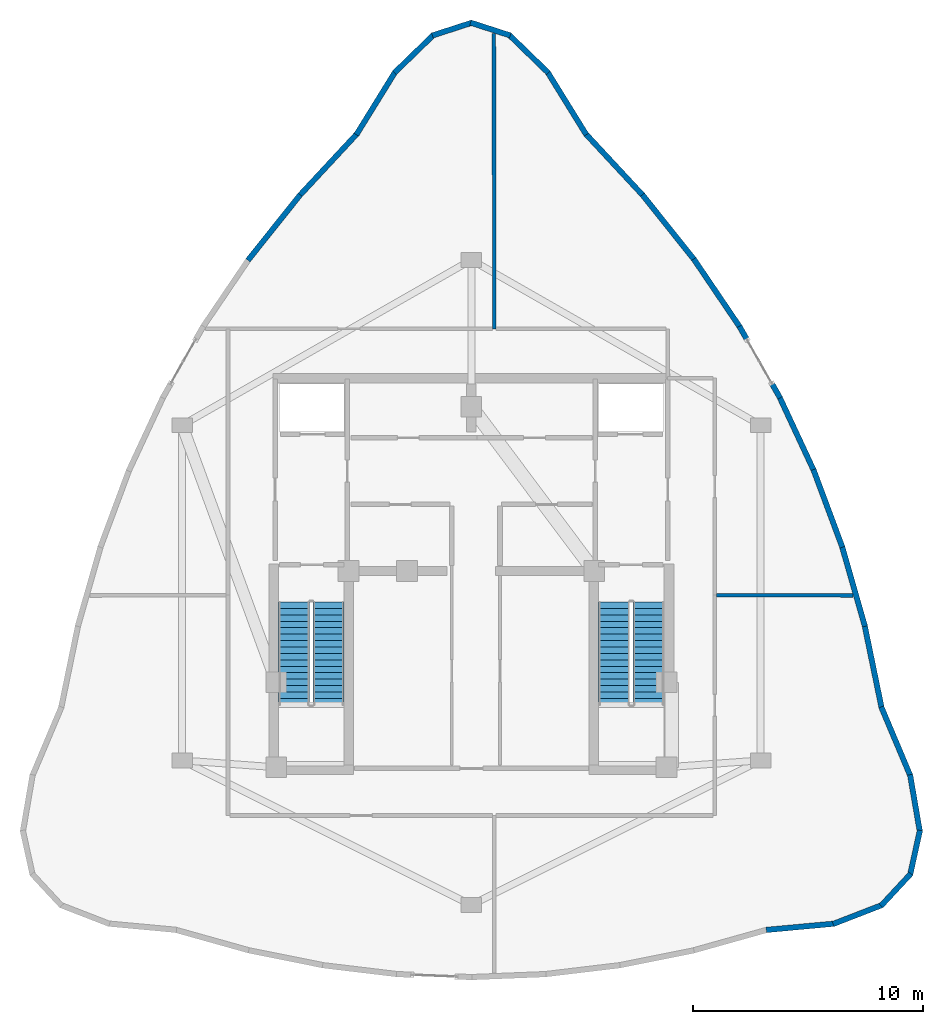
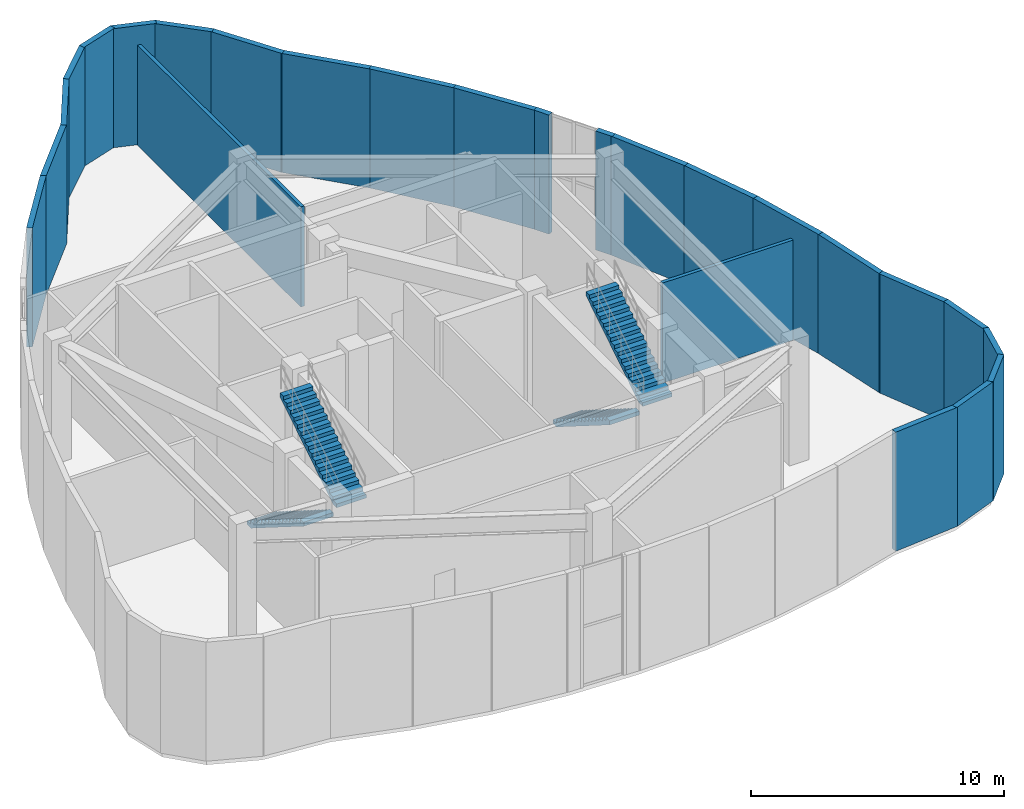
# One storey, part 9 of 10: 25 walls, 4 stair flights, 2 elements without a shape of their own.
"""IFC4 building model written with IfcOpenShell, lengths in metres."""

from ifc_helpers import new_model, si_unit, direction, frame, frame_2d, origin, place, context, subcontext, project, spatial, polyline, rectangle, outline, extrude, material, layer, layer_set, type_object, element, aggregate, save


model = new_model("IFC4")

# Units and contexts
model_context = context("Model", 3, precision=1e-05, world=origin(), true_north=direction((0.0, 1.0)))
body_context = subcontext(model_context, "Body", "Model", "MODEL_VIEW")
ifc_project = project(units=[si_unit("LENGTHUNIT", "METRE"), si_unit("AREAUNIT", "SQUARE_METRE"), si_unit("VOLUMEUNIT", "CUBIC_METRE"), si_unit("PLANEANGLEUNIT", "RADIAN"), si_unit("MASSUNIT", "GRAM", prefix="KILO")], contexts=[model_context])

# Site, building, storey
site_placement = place(None, origin())
site = spatial("IfcSite", under=ifc_project, at=site_placement, CompositionType="ELEMENT")
building_placement = place(site_placement, origin())
building = spatial("IfcBuilding", under=site, at=building_placement, Name="Miruveldt Soraemaru", CompositionType="ELEMENT")
storey_placement = place(building_placement, frame((0.0, 0.0, 306.800048828125)))
storey = spatial("IfcBuildingStorey", under=building, at=storey_placement, Name="L81", CompositionType="ELEMENT", Elevation=306.800048828125)

# Walls
ifc_material_1 = material(Name="Precast concrete C45/55 (45 MPa)", Category="concrete")
ifc_layer_1 = layer(ifc_material_1, 0.239990234375, Name="Precast concrete C45/55 (45 MPa)", Category="concrete")
ifc_layer_set_1 = layer_set([ifc_layer_1], Name="Precast concrete C45/55 (45 MPa)")
wall_type_1 = type_object("IfcWallType", Name="WALL-EXT-PC240", PredefinedType="SOLIDWALL", material=ifc_layer_set_1)
wall_1_placement = place(storey_placement, frame((49.009521484375, 63.05615234375, 0.0), z_axis=(0.0, 0.0, 1.0), x_axis=(-0.526110187608, 0.850416410058, 0.0)))
element("IfcWall", 1, at=wall_1_placement, inside=storey, type_object=wall_type_1, Name="L81 Precast Concrete Facade Wall 1", PredefinedType="SOLIDWALL", context=body_context, shape_type="SweptSolid", body=[
    extrude(rectangle(XDim=3.232666015625, YDim=0.239990234375, at=frame_2d((1.6162109375, 0.0))), origin(), (0.0, 0.0, 1.0), 5.739990234375),
])
wall_2_placement = place(storey_placement, frame((47.352294921875, 65.7509765625, 0.0), z_axis=(0.0, 0.0, 1.0), x_axis=(-0.717711443968, 0.69634063733, 0.0)))
element("IfcWall", 2, at=wall_2_placement, inside=storey, type_object=wall_type_1, Name="L81 Precast Concrete Facade Wall 2", PredefinedType="SOLIDWALL", context=body_context, shape_type="SweptSolid", body=[
    extrude(rectangle(XDim=2.3876953125, YDim=0.239990234375, at=frame_2d((1.19384765625, 0.0))), origin(), (0.0, 0.0, 1.0), 5.739990234375),
])
for number, where, z_axis, x_axis, name in (
    (3, (45.697021484375, 67.37841796875, 0.0), (0.0, 0.0, 1.0), (-0.951517353151, 0.307595069292, 0.0), "L81 Precast Concrete Facade Wall 3"),
    (4, (44.033203125, 67.937744140625, 0.0), (0.0, 0.0, 1.0), (-0.951517353151, -0.307595069292, 0.0), "L81 Precast Concrete Facade Wall 4"),
):
    element("IfcWall", number, at=place(storey_placement, frame(where, z_axis=z_axis, x_axis=x_axis)), inside=storey, type_object=wall_type_1, Name=name, PredefinedType="SOLIDWALL", context=body_context, shape_type="SweptSolid", body=[
        extrude(rectangle(XDim=1.818359375, YDim=0.239990234375, at=frame_2d((0.9091796875, 0.0))), origin(), (0.0, 0.0, 1.0), 5.739990234375),
    ])
wall_3_placement = place(storey_placement, frame((42.361328125, 67.41357421875, 0.0), z_axis=(0.0, 0.0, 1.0), x_axis=(-0.717711443968, -0.69634063733, 0.0)))
element("IfcWall", 5, at=wall_3_placement, inside=storey, type_object=wall_type_1, Name="L81 Precast Concrete Facade Wall 5", PredefinedType="SOLIDWALL", context=body_context, shape_type="SweptSolid", body=[
    extrude(rectangle(XDim=2.3876953125, YDim=0.239990234375, at=frame_2d((1.19384765625, 0.0))), origin(), (0.0, 0.0, 1.0), 5.739990234375),
])
wall_4_placement = place(storey_placement, frame((40.691162109375, 65.80517578125, 0.0), z_axis=(0.0, 0.0, 1.0), x_axis=(-0.526110187608, -0.850416410058, 0.0)))
element("IfcWall", 6, at=wall_4_placement, inside=storey, type_object=wall_type_1, Name="L81 Precast Concrete Facade Wall 6", PredefinedType="SOLIDWALL", context=body_context, shape_type="SweptSolid", body=[
    extrude(rectangle(XDim=3.232666015625, YDim=0.239990234375, at=frame_2d((1.6162109375, 0.0))), origin(), (0.0, 0.0, 1.0), 5.739990234375),
])
wall_5_placement = place(storey_placement, frame((39.03271484375, 63.111572265625, 0.0), z_axis=(0.0, 0.0, 1.0), x_axis=(-0.68087147599, -0.732402917241, 0.0)))
element("IfcWall", 7, at=wall_5_placement, inside=storey, type_object=wall_type_1, Name="L81 Precast Concrete Facade Wall 7", PredefinedType="SOLIDWALL", context=body_context, shape_type="SweptSolid", body=[
    extrude(rectangle(XDim=3.718994140625, YDim=0.239990234375, at=frame_2d((1.859375, 0.0))), origin(), (0.0, 0.0, 1.0), 5.739990234375),
])
wall_6_placement = place(storey_placement, frame((36.546142578125, 60.440673828125, 0.0), z_axis=(0.0, 0.0, 1.0), x_axis=(-0.623626980574, -0.781722066402, 0.0)))
element("IfcWall", 8, at=wall_6_placement, inside=storey, type_object=wall_type_1, Name="L81 Precast Concrete Facade Wall 8", PredefinedType="SOLIDWALL", context=body_context, shape_type="SweptSolid", body=[
    extrude(rectangle(XDim=3.65380859375, YDim=0.239990234375, at=frame_2d((1.826904296875, 0.0))), origin(), (0.0, 0.0, 1.0), 5.739990234375),
])
wall_7_placement = place(storey_placement, frame((56.84619140625, 28.412841796875, 0.0), z_axis=(0.0, 0.0, 1.0), x_axis=(0.995767942029, 0.091903240575, 0.0)))
element("IfcWall", 9, at=wall_7_placement, inside=storey, type_object=wall_type_1, Name="L81 Precast Concrete Facade Wall 29", PredefinedType="SOLIDWALL", context=body_context, shape_type="SweptSolid", body=[
    extrude(rectangle(XDim=2.993896484375, YDim=0.239990234375, at=frame_2d((1.4970703125, 0.0))), origin(), (0.0, 0.0, 1.0), 5.739990234375),
])
wall_8_placement = place(storey_placement, frame((59.760009765625, 28.672119140625, 0.0), z_axis=(0.0, 0.0, 1.0), x_axis=(0.932269297358, 0.361765058019, 0.0)))
element("IfcWall", 10, at=wall_8_placement, inside=storey, type_object=wall_type_1, Name="L81 Precast Concrete Facade Wall 30", PredefinedType="SOLIDWALL", context=body_context, shape_type="SweptSolid", body=[
    extrude(rectangle(XDim=2.300537109375, YDim=0.239990234375, at=frame_2d((1.150390625, 0.0))), origin(), (0.0, 0.0, 1.0), 5.739990234375),
])
wall_9_placement = place(storey_placement, frame((61.848388671875, 29.466064453125, 0.0), z_axis=(0.0, 0.0, 1.0), x_axis=(0.680072395428, 0.733144963139, 0.0)))
element("IfcWall", 11, at=wall_9_placement, inside=storey, type_object=wall_type_1, Name="L81 Precast Concrete Facade Wall 31", PredefinedType="SOLIDWALL", context=body_context, shape_type="SweptSolid", body=[
    extrude(rectangle(XDim=1.904541015625, YDim=0.239990234375, at=frame_2d((0.9521484375, 0.0))), origin(), (0.0, 0.0, 1.0), 5.739990234375),
])
wall_10_placement = place(storey_placement, frame((63.1123046875, 30.80224609375, 0.0), z_axis=(0.0, 0.0, 1.0), x_axis=(0.215649526387, 0.976470829963, 0.0)))
element("IfcWall", 12, at=wall_10_placement, inside=storey, type_object=wall_type_1, Name="L81 Precast Concrete Facade Wall 32", PredefinedType="SOLIDWALL", context=body_context, shape_type="SweptSolid", body=[
    extrude(rectangle(XDim=1.998291015625, YDim=0.239990234375, at=frame_2d((0.9990234375, 0.0))), origin(), (0.0, 0.0, 1.0), 5.739990234375),
])
wall_11_placement = place(storey_placement, frame((63.54150390625, 32.6845703125, 0.0), z_axis=(0.0, 0.0, 1.0), x_axis=(-0.169240125324, 0.985574847477, 0.0)))
element("IfcWall", 13, at=wall_11_placement, inside=storey, type_object=wall_type_1, Name="L81 Precast Concrete Facade Wall 33", PredefinedType="SOLIDWALL", context=body_context, shape_type="SweptSolid", body=[
    extrude(rectangle(XDim=2.52587890625, YDim=0.239990234375, at=frame_2d((1.262939453125, 0.0))), origin(), (0.0, 0.0, 1.0), 5.739990234375),
])
wall_12_placement = place(storey_placement, frame((63.13330078125, 35.107421875, 0.0), z_axis=(0.0, 0.0, 1.0), x_axis=(-0.388622520849, 0.921397056805, 0.0)))
element("IfcWall", 14, at=wall_12_placement, inside=storey, type_object=wall_type_1, Name="L81 Precast Concrete Facade Wall 34", PredefinedType="SOLIDWALL", context=body_context, shape_type="SweptSolid", body=[
    extrude(rectangle(XDim=3.280517578125, YDim=0.239990234375, at=frame_2d((1.64013671875, 0.0))), origin(), (0.0, 0.0, 1.0), 5.739990234375),
])
wall_13_placement = place(storey_placement, frame((61.879150390625, 38.063720703125, 0.0), z_axis=(0.0, 0.0, 1.0), x_axis=(-0.201578837363, 0.979472292782, 0.0)))
element("IfcWall", 15, at=wall_13_placement, inside=storey, type_object=wall_type_1, Name="L81 Precast Concrete Facade Wall 35", PredefinedType="SOLIDWALL", context=body_context, shape_type="SweptSolid", body=[
    extrude(rectangle(XDim=3.719482421875, YDim=0.239990234375, at=frame_2d((1.85986328125, 0.0))), origin(), (0.0, 0.0, 1.0), 5.739990234375),
])
wall_14_placement = place(storey_placement, frame((61.14599609375, 41.638671875, 0.0), z_axis=(0.0, 0.0, 1.0), x_axis=(-0.274897629025, 0.961473501224, 0.0)))
element("IfcWall", 16, at=wall_14_placement, inside=storey, type_object=wall_type_1, Name="L81 Precast Concrete Facade Wall 36", PredefinedType="SOLIDWALL", context=body_context, shape_type="SweptSolid", body=[
    extrude(rectangle(XDim=3.65380859375, YDim=0.239990234375, at=frame_2d((1.826904296875, 0.0))), origin(), (0.0, 0.0, 1.0), 5.739990234375),
])
wall_15_placement = place(storey_placement, frame((60.163330078125, 45.085205078125, 0.0), z_axis=(0.0, 0.0, 1.0), x_axis=(-0.349054279873, 0.937102507574, 0.0)))
element("IfcWall", 17, at=wall_15_placement, inside=storey, type_object=wall_type_1, Name="L81 Precast Concrete Facade Wall 37", PredefinedType="SOLIDWALL", context=body_context, shape_type="SweptSolid", body=[
    extrude(rectangle(XDim=3.609130859375, YDim=0.239990234375, at=frame_2d((1.8046875, 0.0))), origin(), (0.0, 0.0, 1.0), 5.739990234375),
])
wall_16_placement = place(storey_placement, frame((58.9306640625, 48.40283203125, 0.0), z_axis=(0.0, 0.0, 1.0), x_axis=(-0.422322757118, 0.906445524464, 0.0)))
element("IfcWall", 18, at=wall_16_placement, inside=storey, type_object=wall_type_1, Name="L81 Precast Concrete Facade Wall 38", PredefinedType="SOLIDWALL", context=body_context, shape_type="SweptSolid", body=[
    extrude(rectangle(XDim=3.587158203125, YDim=0.239990234375, at=frame_2d((1.79345703125, 0.0))), origin(), (0.0, 0.0, 1.0), 5.739990234375),
])
wall_17_placement = place(storey_placement, frame((57.447998046875, 51.592041015625, 0.0), z_axis=(0.0, 0.0, 1.0), x_axis=(-0.493406174407, 0.86979902682, 0.0)))
element("IfcWall", 19, at=wall_17_placement, inside=storey, type_object=wall_type_1, Name="L81 Precast Pier Left 39", PredefinedType="SOLIDWALL", context=body_context, shape_type="SweptSolid", body=[
    extrude(rectangle(XDim=0.751220703125, YDim=0.239990234375, at=frame_2d((0.37548828125, 0.0))), origin(), (0.0, 0.0, 1.0), 5.739990234375),
])
wall_18_placement = place(storey_placement, frame((56.02587890625, 54.098876953125, 0.0), z_axis=(0.0, 0.0, 1.0), x_axis=(-0.493300984784, 0.86985868876, 0.0)))
element("IfcWall", 20, at=wall_18_placement, inside=storey, type_object=wall_type_1, Name="L81 Precast Pier Right 39", PredefinedType="SOLIDWALL", context=body_context, shape_type="SweptSolid", body=[
    extrude(rectangle(XDim=0.704833984375, YDim=0.239990234375, at=frame_2d((0.3525390625, 0.0))), origin(), (0.0, 0.0, 1.0), 5.739990234375),
])
wall_19_placement = place(storey_placement, frame((55.715087890625, 54.652587890625, 0.0), z_axis=(0.0, 0.0, 1.0), x_axis=(-0.560819727484, 0.827937940467, 0.0)))
element("IfcWall", 21, at=wall_19_placement, inside=storey, type_object=wall_type_1, Name="L81 Precast Concrete Facade Wall 40", PredefinedType="SOLIDWALL", context=body_context, shape_type="SweptSolid", body=[
    extrude(rectangle(XDim=3.609375, YDim=0.239990234375, at=frame_2d((1.8046875, 0.0))), origin(), (0.0, 0.0, 1.0), 5.739990234375),
])
wall_20_placement = place(storey_placement, frame((53.732421875, 57.58447265625, 0.0), z_axis=(0.0, 0.0, 1.0), x_axis=(-0.623626980574, 0.781722066402, 0.0)))
element("IfcWall", 22, at=wall_20_placement, inside=storey, type_object=wall_type_1, Name="L81 Precast Concrete Facade Wall 41", PredefinedType="SOLIDWALL", context=body_context, shape_type="SweptSolid", body=[
    extrude(rectangle(XDim=3.65380859375, YDim=0.239990234375, at=frame_2d((1.826904296875, 0.0))), origin(), (0.0, 0.0, 1.0), 5.739990234375),
])
wall_21_placement = place(storey_placement, frame((51.49951171875, 60.3876953125, 0.0), z_axis=(0.0, 0.0, 1.0), x_axis=(-0.68087147599, 0.732402917241, 0.0)))
element("IfcWall", 23, at=wall_21_placement, inside=storey, type_object=wall_type_1, Name="L81 Precast Concrete Facade Wall 42", PredefinedType="SOLIDWALL", context=body_context, shape_type="SweptSolid", body=[
    extrude(rectangle(XDim=3.718994140625, YDim=0.239990234375, at=frame_2d((1.859375, 0.0))), origin(), (0.0, 0.0, 1.0), 5.739990234375),
])
ifc_material_2 = material(Name="Concrete C40/50 (40 MPa)", Category="concrete")
ifc_layer_2 = layer(ifc_material_2, 0.159912109375, Name="Concrete C40/50 (40 MPa)", Category="concrete")
ifc_layer_set_2 = layer_set([ifc_layer_2], Name="Concrete C40/50 (40 MPa)")
wall_type_2 = type_object("IfcWallType", Name="WALL-INT-RC160", PredefinedType="SOLIDWALL", material=ifc_layer_set_2)
wall_22_placement = place(storey_placement, frame((45.0, 54.60009765625, 0.0), z_axis=(0.0, 0.0, 1.0), x_axis=(-0.001328196464, 0.999999117947, 0.0)))
element("IfcWall", 24, at=wall_22_placement, inside=storey, type_object=wall_type_2, Name="L81 Partition Wall 14", PredefinedType="SOLIDWALL", context=body_context, shape_type="SweptSolid", body=[
    extrude(rectangle(XDim=12.866943359375, YDim=0.159912109375, at=frame_2d((6.43359375, 0.0))), origin(), (0.0, 0.0, 1.0), 4.827880859375),
])
wall_23_placement = place(storey_placement, frame((60.62109375, 42.985107421875, 0.0), z_axis=(0.0, 0.0, 1.0), x_axis=(-0.999996858298, 0.00250666975, 0.0)))
element("IfcWall", 25, at=wall_23_placement, inside=storey, type_object=wall_type_2, Name="L81 Partition Wall 13", PredefinedType="SOLIDWALL", context=body_context, shape_type="SweptSolid", body=[
    extrude(rectangle(XDim=5.941162109375, YDim=0.159912109375, at=frame_2d((2.970703125, 0.0))), origin(), (0.0, 0.0, 1.0), 4.827880859375),
])

# Stair, stair flights
stair_type = type_object("IfcStairType", Name="STAIR-DL-600", PredefinedType="HALF_TURN_STAIR", material=ifc_material_2)
stair_1_placement = place(storey_placement, origin())
stair_1 = element("IfcStair", 26, at=stair_1_placement, inside=storey, type_object=stair_type, Name="L81 Protected Exit Stair ST-1", PredefinedType="HALF_TURN_STAIR")
stair_flight_type = type_object("IfcStairFlightType", Name="SFL-DL-600", PredefinedType="STRAIGHT", material=ifc_material_2)
stair_flight_1_placement = place(storey_placement, frame((36.27490234375, 42.699951171875, 0.0), z_axis=(0.0, 0.0, 1.0), x_axis=(0.0, -1.0, 0.0)))
stair_flight_1 = element("IfcStairFlight", 27, at=stair_flight_1_placement, type_object=stair_flight_type, Name="ST-1 flight 1", NumberOfRisers=17, NumberOfTreads=16, PredefinedType="STRAIGHT", RiserHeight=0.176470588, TreadLength=0.28, context=body_context, shape_type="SweptSolid", body=[
    extrude(outline(polyline([(0.0, 0.0), (0.0, 0.176513671875), (0.280029296875, 0.176513671875), (0.280029296875, 0.35302734375), (0.56005859375, 0.35302734375), (0.56005859375, 0.529296875), (0.840087890625, 0.529296875), (0.840087890625, 0.705810546875), (1.1201171875, 0.705810546875), (1.1201171875, 0.88232421875), (1.39990234375, 0.88232421875), (1.39990234375, 1.058837890625), (1.679931640625, 1.058837890625), (1.679931640625, 1.2353515625), (1.9599609375, 1.2353515625), (1.9599609375, 1.411865234375), (2.239990234375, 1.411865234375), (2.239990234375, 1.588134765625), (2.52001953125, 1.588134765625), (2.52001953125, 1.7646484375), (2.800048828125, 1.7646484375), (2.800048828125, 1.941162109375), (3.080078125, 1.941162109375), (3.080078125, 2.11767578125), (3.360107421875, 2.11767578125), (3.360107421875, 2.294189453125), (3.639892578125, 2.294189453125), (3.639892578125, 2.470703125), (3.919921875, 2.470703125), (3.919921875, 2.64697265625), (4.199951171875, 2.64697265625), (4.199951171875, 2.823486328125), (4.47998046875, 2.823486328125), (4.47998046875, 3.0), (4.47998046875, 2.634521484375), (0.2998046875, 0.0), (0.0, 0.0)])), frame((0.0, 0.675048828125, 0.0), z_axis=(0.0, -1.0, 0.0), x_axis=(1.0, 0.0, 0.0)), (0.0, 0.0, 1.0), 1.35009765625),
])
stair_flight_2_placement = place(storey_placement, frame((37.77490234375, 38.219970703125, 3.0), z_axis=(0.0, 0.0, 1.0), x_axis=(0.0, 1.0, 0.0)))
stair_flight_2 = element("IfcStairFlight", 28, at=stair_flight_2_placement, type_object=stair_flight_type, Name="ST-1 flight 2", NumberOfRisers=17, NumberOfTreads=16, PredefinedType="STRAIGHT", RiserHeight=0.176470588, TreadLength=0.28, context=body_context, shape_type="SweptSolid", body=[
    extrude(outline(polyline([(0.0, 0.0), (0.0, 0.176513671875), (0.280029296875, 0.176513671875), (0.280029296875, 0.35302734375), (0.56005859375, 0.35302734375), (0.56005859375, 0.529296875), (0.840087890625, 0.529296875), (0.840087890625, 0.705810546875), (1.1201171875, 0.705810546875), (1.1201171875, 0.88232421875), (1.39990234375, 0.88232421875), (1.39990234375, 1.058837890625), (1.679931640625, 1.058837890625), (1.679931640625, 1.2353515625), (1.9599609375, 1.2353515625), (1.9599609375, 1.411865234375), (2.239990234375, 1.411865234375), (2.239990234375, 1.588134765625), (2.52001953125, 1.588134765625), (2.52001953125, 1.7646484375), (2.800048828125, 1.7646484375), (2.800048828125, 1.941162109375), (3.080078125, 1.941162109375), (3.080078125, 2.11767578125), (3.360107421875, 2.11767578125), (3.360107421875, 2.294189453125), (3.639892578125, 2.294189453125), (3.639892578125, 2.470703125), (3.919921875, 2.470703125), (3.919921875, 2.64697265625), (4.199951171875, 2.64697265625), (4.199951171875, 2.823486328125), (4.47998046875, 2.823486328125), (4.47998046875, 3.0), (4.47998046875, 2.634521484375), (0.2998046875, 0.0), (0.0, 0.0)])), frame((0.0, 0.675048828125, 0.0), z_axis=(0.0, -1.0, 0.0), x_axis=(1.0, 0.0, 0.0)), (0.0, 0.0, 1.0), 1.35009765625),
])
aggregate(stair_1, [stair_flight_1, stair_flight_2])

stair_2_placement = place(storey_placement, origin())
stair_2 = element("IfcStair", 29, at=stair_2_placement, inside=storey, type_object=stair_type, Name="L81 Protected Exit Stair ST-2", PredefinedType="HALF_TURN_STAIR")
stair_flight_3_placement = place(storey_placement, frame((50.22509765625, 42.699951171875, 0.0), z_axis=(0.0, 0.0, 1.0), x_axis=(0.0, -1.0, 0.0)))
stair_flight_3 = element("IfcStairFlight", 30, at=stair_flight_3_placement, type_object=stair_flight_type, Name="ST-2 flight 1", NumberOfRisers=17, NumberOfTreads=16, PredefinedType="STRAIGHT", RiserHeight=0.176470588, TreadLength=0.28, context=body_context, shape_type="SweptSolid", body=[
    extrude(outline(polyline([(0.0, 0.0), (0.0, 0.176513671875), (0.280029296875, 0.176513671875), (0.280029296875, 0.35302734375), (0.56005859375, 0.35302734375), (0.56005859375, 0.529296875), (0.840087890625, 0.529296875), (0.840087890625, 0.705810546875), (1.1201171875, 0.705810546875), (1.1201171875, 0.88232421875), (1.39990234375, 0.88232421875), (1.39990234375, 1.058837890625), (1.679931640625, 1.058837890625), (1.679931640625, 1.2353515625), (1.9599609375, 1.2353515625), (1.9599609375, 1.411865234375), (2.239990234375, 1.411865234375), (2.239990234375, 1.588134765625), (2.52001953125, 1.588134765625), (2.52001953125, 1.7646484375), (2.800048828125, 1.7646484375), (2.800048828125, 1.941162109375), (3.080078125, 1.941162109375), (3.080078125, 2.11767578125), (3.360107421875, 2.11767578125), (3.360107421875, 2.294189453125), (3.639892578125, 2.294189453125), (3.639892578125, 2.470703125), (3.919921875, 2.470703125), (3.919921875, 2.64697265625), (4.199951171875, 2.64697265625), (4.199951171875, 2.823486328125), (4.47998046875, 2.823486328125), (4.47998046875, 3.0), (4.47998046875, 2.634521484375), (0.2998046875, 0.0), (0.0, 0.0)])), frame((0.0, 0.675048828125, 0.0), z_axis=(0.0, -1.0, 0.0), x_axis=(1.0, 0.0, 0.0)), (0.0, 0.0, 1.0), 1.35009765625),
])
stair_flight_4_placement = place(storey_placement, frame((51.72509765625, 38.219970703125, 3.0), z_axis=(0.0, 0.0, 1.0), x_axis=(0.0, 1.0, 0.0)))
stair_flight_4 = element("IfcStairFlight", 31, at=stair_flight_4_placement, type_object=stair_flight_type, Name="ST-2 flight 2", NumberOfRisers=17, NumberOfTreads=16, PredefinedType="STRAIGHT", RiserHeight=0.176470588, TreadLength=0.28, context=body_context, shape_type="SweptSolid", body=[
    extrude(outline(polyline([(0.0, 0.0), (0.0, 0.176513671875), (0.280029296875, 0.176513671875), (0.280029296875, 0.35302734375), (0.56005859375, 0.35302734375), (0.56005859375, 0.529296875), (0.840087890625, 0.529296875), (0.840087890625, 0.705810546875), (1.1201171875, 0.705810546875), (1.1201171875, 0.88232421875), (1.39990234375, 0.88232421875), (1.39990234375, 1.058837890625), (1.679931640625, 1.058837890625), (1.679931640625, 1.2353515625), (1.9599609375, 1.2353515625), (1.9599609375, 1.411865234375), (2.239990234375, 1.411865234375), (2.239990234375, 1.588134765625), (2.52001953125, 1.588134765625), (2.52001953125, 1.7646484375), (2.800048828125, 1.7646484375), (2.800048828125, 1.941162109375), (3.080078125, 1.941162109375), (3.080078125, 2.11767578125), (3.360107421875, 2.11767578125), (3.360107421875, 2.294189453125), (3.639892578125, 2.294189453125), (3.639892578125, 2.470703125), (3.919921875, 2.470703125), (3.919921875, 2.64697265625), (4.199951171875, 2.64697265625), (4.199951171875, 2.823486328125), (4.47998046875, 2.823486328125), (4.47998046875, 3.0), (4.47998046875, 2.634521484375), (0.2998046875, 0.0), (0.0, 0.0)])), frame((0.0, 0.675048828125, 0.0), z_axis=(0.0, -1.0, 0.0), x_axis=(1.0, 0.0, 0.0)), (0.0, 0.0, 1.0), 1.35009765625),
])
aggregate(stair_2, [stair_flight_3, stair_flight_4])

save(model, "model.ifc")
